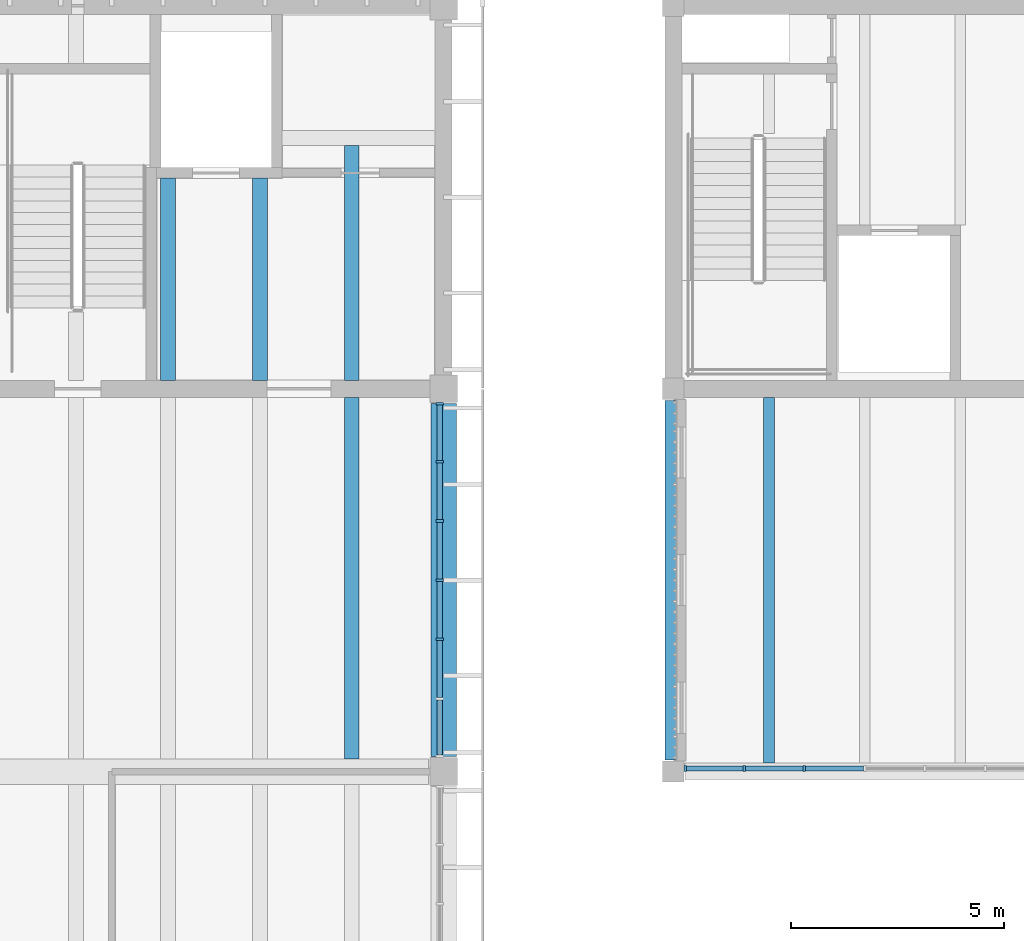
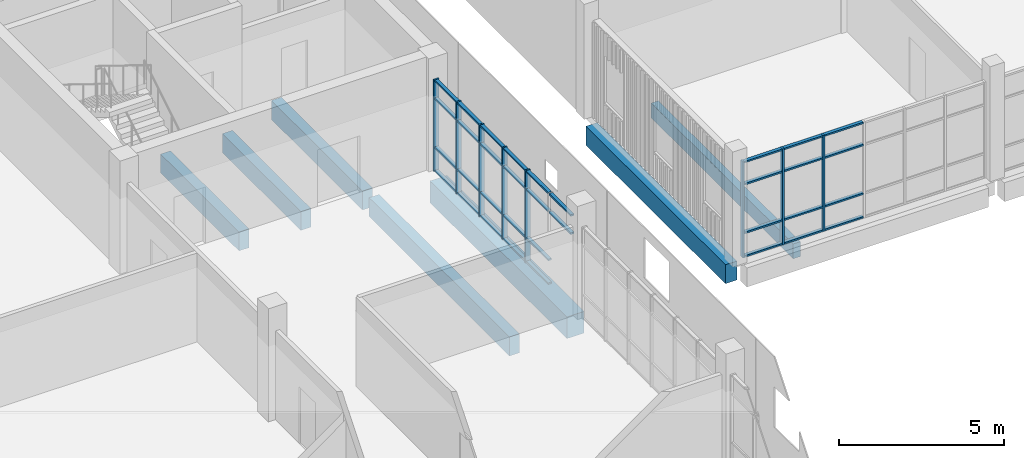
# One storey, part 21 of 92: 42 members, 7 beams, 2 elements without a shape of their own.
"""IFC4 building model written with IfcOpenShell, lengths in metres."""

from ifc_helpers import new_model, si_unit, direction, frame, origin, origin_2d, place, context, subcontext, project, spatial, rectangle, extrude, material, material_profile, profile_set, type_object, element, aggregate, save


model = new_model("IFC4")

# Units and contexts
model_context = context("Model", 3, precision=1e-05, world=origin(), true_north=direction((0.0, 1.0)))
body_context = subcontext(model_context, "Body", "Model", "MODEL_VIEW")
ifc_project = project(units=[si_unit("LENGTHUNIT", "METRE"), si_unit("AREAUNIT", "SQUARE_METRE"), si_unit("VOLUMEUNIT", "CUBIC_METRE"), si_unit("PLANEANGLEUNIT", "RADIAN"), si_unit("MASSUNIT", "GRAM", prefix="KILO")], contexts=[model_context])

# Site, building, storey
site_placement = place(None, origin())
site = spatial("IfcSite", under=ifc_project, at=site_placement, CompositionType="ELEMENT")
building_placement = place(site_placement, origin())
building = spatial("IfcBuilding", under=site, at=building_placement, Name="Merrow Basin Faculty of Sciences", CompositionType="ELEMENT")
storey_placement = place(building_placement, frame((0.0, 0.0, 4.5)))
storey = spatial("IfcBuildingStorey", under=building, at=storey_placement, Name="L01", CompositionType="ELEMENT", Elevation=4.5)

# Curtain wall, members
ifc_material_1 = material(Name="Aluminium alloy 6063", Category="aluminium")
curtain_wall_type_1 = type_object("IfcCurtainWallType", Name="Court curtain wall 140", PredefinedType="NOTDEFINED", material=ifc_material_1)
curtain_wall_1_placement = place(storey_placement, origin())
curtain_wall_1 = element("IfcCurtainWall", 1, at=curtain_wall_1_placement, inside=storey, type_object=curtain_wall_type_1, Name="Court curtain wall L01 1", PredefinedType="NOTDEFINED")
ifc_material_2 = material(Name="Aluminium alloy 6063", Category="aluminium")
ifc_material_profile_1 = material_profile(ifc_material_2, rectangle(XDim=0.139892578125, YDim=0.06005859375, at=origin_2d()))
ifc_profile_set_1 = profile_set([ifc_material_profile_1], Name="Aluminium alloy 6063")
member_type_1 = type_object("IfcMemberType", Name="Aluminium mullion 60x140", PredefinedType="MULLION", material=ifc_profile_set_1)
member_1_placement = place(storey_placement, frame((27.280029296875, 115.070068359375, 0.0), z_axis=(0.0, 0.0, 1.0), x_axis=(0.0, 1.0, 0.0)))
member_1 = element("IfcMember", 2, at=member_1_placement, type_object=member_type_1, Name="CW8 mullion 1", PredefinedType="MULLION", context=body_context, shape_type="SweptSolid", body=[
    extrude(rectangle(XDim=0.139892578125, YDim=0.06005859375, at=origin_2d()), origin(), (0.0, 0.0, 1.0), 3.550048828125),
])
member_2_placement = place(storey_placement, frame((28.666748046875, 115.070068359375, 0.0), z_axis=(0.0, 0.0, 1.0), x_axis=(0.0, 1.0, 0.0)))
member_2 = element("IfcMember", 3, at=member_2_placement, type_object=member_type_1, Name="CW8 mullion 2", PredefinedType="MULLION", context=body_context, shape_type="SweptSolid", body=[
    extrude(rectangle(XDim=0.139892578125, YDim=0.06005859375, at=origin_2d()), origin(), (0.0, 0.0, 1.0), 3.550048828125),
])
member_3_placement = place(storey_placement, frame((30.083251953125, 115.070068359375, 0.0), z_axis=(0.0, 0.0, 1.0), x_axis=(0.0, 1.0, 0.0)))
member_3 = element("IfcMember", 4, at=member_3_placement, type_object=member_type_1, Name="CW8 mullion 3", PredefinedType="MULLION", context=body_context, shape_type="SweptSolid", body=[
    extrude(rectangle(XDim=0.139892578125, YDim=0.06005859375, at=origin_2d()), origin(), (0.0, 0.0, 1.0), 3.550048828125),
])

ifc_material_3 = material(Name="Aluminium alloy 6063", Category="aluminium")
curtain_wall_type_2 = type_object("IfcCurtainWallType", Name="Bar unitised curtain wall 180", PredefinedType="NOTDEFINED", material=ifc_material_3)
curtain_wall_2_placement = place(storey_placement, origin())
curtain_wall_2 = element("IfcCurtainWall", 5, at=curtain_wall_2_placement, inside=storey, type_object=curtain_wall_type_2, Name="East curtain wall L01 6", PredefinedType="NOTDEFINED")
ifc_material_4 = material(Name="Aluminium alloy 6063", Category="aluminium")
ifc_material_profile_2 = material_profile(ifc_material_4, rectangle(XDim=0.179931640625, YDim=0.06005859375, at=origin_2d()))
ifc_profile_set_2 = profile_set([ifc_material_profile_2], Name="Aluminium alloy 6063")
member_type_2 = type_object("IfcMemberType", Name="Aluminium mullion 60x180", PredefinedType="MULLION", material=ifc_profile_set_2)
member_4_placement = place(storey_placement, frame((21.510009765625, 118.1083984375, 0.0), z_axis=(0.0, 0.0, 1.0), x_axis=(-1.0, 0.0, 0.0)))
member_4 = element("IfcMember", 6, at=member_4_placement, type_object=member_type_2, Name="CW1 mullion 3", PredefinedType="MULLION", context=body_context, shape_type="SweptSolid", body=[
    extrude(rectangle(XDim=0.179931640625, YDim=0.06005859375, at=origin_2d()), origin(), (0.0, 0.0, 1.0), 3.39990234375),
])
member_5_placement = place(storey_placement, frame((21.510009765625, 119.5, 0.0), z_axis=(0.0, 0.0, 1.0), x_axis=(-1.0, 0.0, 0.0)))
member_5 = element("IfcMember", 7, at=member_5_placement, type_object=member_type_2, Name="CW1 mullion 4", PredefinedType="MULLION", context=body_context, shape_type="SweptSolid", body=[
    extrude(rectangle(XDim=0.179931640625, YDim=0.06005859375, at=origin_2d()), origin(), (0.0, 0.0, 1.0), 3.39990234375),
])
member_6_placement = place(storey_placement, frame((21.510009765625, 120.8916015625, 0.0), z_axis=(0.0, 0.0, 1.0), x_axis=(-1.0, 0.0, 0.0)))
member_6 = element("IfcMember", 8, at=member_6_placement, type_object=member_type_2, Name="CW1 mullion 5", PredefinedType="MULLION", context=body_context, shape_type="SweptSolid", body=[
    extrude(rectangle(XDim=0.179931640625, YDim=0.06005859375, at=origin_2d()), origin(), (0.0, 0.0, 1.0), 3.39990234375),
])
member_7_placement = place(storey_placement, frame((21.510009765625, 122.283447265625, 0.0), z_axis=(0.0, 0.0, 1.0), x_axis=(-1.0, 0.0, 0.0)))
member_7 = element("IfcMember", 9, at=member_7_placement, type_object=member_type_2, Name="CW1 mullion 6", PredefinedType="MULLION", context=body_context, shape_type="SweptSolid", body=[
    extrude(rectangle(XDim=0.179931640625, YDim=0.06005859375, at=origin_2d()), origin(), (0.0, 0.0, 1.0), 3.39990234375),
])
member_8_placement = place(storey_placement, frame((21.510009765625, 123.64501953125, 0.0), z_axis=(0.0, 0.0, 1.0), x_axis=(-1.0, 0.0, 0.0)))
member_8 = element("IfcMember", 10, at=member_8_placement, type_object=member_type_2, Name="CW1 mullion 7", PredefinedType="MULLION", context=body_context, shape_type="SweptSolid", body=[
    extrude(rectangle(XDim=0.179931640625, YDim=0.06005859375, at=origin_2d()), origin(), (0.0, 0.0, 1.0), 3.39990234375),
])
ifc_material_5 = material(Name="Aluminium alloy 6063", Category="aluminium")
ifc_material_profile_3 = material_profile(ifc_material_5, rectangle(XDim=0.1201171875, YDim=0.06005859375, at=origin_2d()))
ifc_profile_set_3 = profile_set([ifc_material_profile_3], Name="Aluminium alloy 6063")
member_type_3 = type_object("IfcMemberType", Name="Aluminium transom 60x120", PredefinedType="USERDEFINED", material=ifc_profile_set_3)
member_9_placement = place(storey_placement, frame((21.510009765625, 115.385009765625, 2.699951171875), z_axis=(0.0, 1.0, 0.0), x_axis=(-1.0, 0.0, 0.0)))
member_9 = element("IfcMember", 11, at=member_9_placement, type_object=member_type_3, Name="CW1 transom 1.3", ObjectType="TRANSOM", PredefinedType="USERDEFINED", context=body_context, shape_type="SweptSolid", body=[
    extrude(rectangle(XDim=0.1201171875, YDim=0.06005859375, at=origin_2d()), origin(), (0.0, 0.0, 1.0), 1.3017578125),
])
member_10_placement = place(storey_placement, frame((21.510009765625, 115.385009765625, 3.3701171875), z_axis=(0.0, 1.0, 0.0), x_axis=(-1.0, 0.0, 0.0)))
member_10 = element("IfcMember", 12, at=member_10_placement, type_object=member_type_3, Name="CW1 transom 1.4", ObjectType="TRANSOM", PredefinedType="USERDEFINED", context=body_context, shape_type="SweptSolid", body=[
    extrude(rectangle(XDim=0.1201171875, YDim=0.06005859375, at=origin_2d()), origin(), (0.0, 0.0, 1.0), 1.3017578125),
])
member_11_placement = place(storey_placement, frame((21.510009765625, 116.74658203125, 0.030029296875), z_axis=(0.0, 1.0, 0.0), x_axis=(-1.0, 0.0, 0.0)))
member_11 = element("IfcMember", 13, at=member_11_placement, type_object=member_type_3, Name="CW1 transom 2.1", ObjectType="TRANSOM", PredefinedType="USERDEFINED", context=body_context, shape_type="SweptSolid", body=[
    extrude(rectangle(XDim=0.1201171875, YDim=0.06005859375, at=origin_2d()), origin(), (0.0, 0.0, 1.0), 1.331787109375),
])
member_12_placement = place(storey_placement, frame((21.510009765625, 116.74658203125, 0.89990234375), z_axis=(0.0, 1.0, 0.0), x_axis=(-1.0, 0.0, 0.0)))
member_12 = element("IfcMember", 14, at=member_12_placement, type_object=member_type_3, Name="CW1 transom 2.2", ObjectType="TRANSOM", PredefinedType="USERDEFINED", context=body_context, shape_type="SweptSolid", body=[
    extrude(rectangle(XDim=0.1201171875, YDim=0.06005859375, at=origin_2d()), origin(), (0.0, 0.0, 1.0), 1.331787109375),
])
member_13_placement = place(storey_placement, frame((21.510009765625, 116.74658203125, 2.699951171875), z_axis=(0.0, 1.0, 0.0), x_axis=(-1.0, 0.0, 0.0)))
member_13 = element("IfcMember", 15, at=member_13_placement, type_object=member_type_3, Name="CW1 transom 2.3", ObjectType="TRANSOM", PredefinedType="USERDEFINED", context=body_context, shape_type="SweptSolid", body=[
    extrude(rectangle(XDim=0.1201171875, YDim=0.06005859375, at=origin_2d()), origin(), (0.0, 0.0, 1.0), 1.331787109375),
])
member_14_placement = place(storey_placement, frame((21.510009765625, 116.74658203125, 3.3701171875), z_axis=(0.0, 1.0, 0.0), x_axis=(-1.0, 0.0, 0.0)))
member_14 = element("IfcMember", 16, at=member_14_placement, type_object=member_type_3, Name="CW1 transom 2.4", ObjectType="TRANSOM", PredefinedType="USERDEFINED", context=body_context, shape_type="SweptSolid", body=[
    extrude(rectangle(XDim=0.1201171875, YDim=0.06005859375, at=origin_2d()), origin(), (0.0, 0.0, 1.0), 1.331787109375),
])
member_15_placement = place(storey_placement, frame((21.510009765625, 118.138427734375, 0.030029296875), z_axis=(0.0, 1.0, 0.0), x_axis=(-1.0, 0.0, 0.0)))
member_15 = element("IfcMember", 17, at=member_15_placement, type_object=member_type_3, Name="CW1 transom 3.1", ObjectType="TRANSOM", PredefinedType="USERDEFINED", context=body_context, shape_type="SweptSolid", body=[
    extrude(rectangle(XDim=0.1201171875, YDim=0.06005859375, at=origin_2d()), origin(), (0.0, 0.0, 1.0), 1.33154296875),
])
member_16_placement = place(storey_placement, frame((21.510009765625, 118.138427734375, 0.89990234375), z_axis=(0.0, 1.0, 0.0), x_axis=(-1.0, 0.0, 0.0)))
member_16 = element("IfcMember", 18, at=member_16_placement, type_object=member_type_3, Name="CW1 transom 3.2", ObjectType="TRANSOM", PredefinedType="USERDEFINED", context=body_context, shape_type="SweptSolid", body=[
    extrude(rectangle(XDim=0.1201171875, YDim=0.06005859375, at=origin_2d()), origin(), (0.0, 0.0, 1.0), 1.33154296875),
])
member_17_placement = place(storey_placement, frame((21.510009765625, 118.138427734375, 2.699951171875), z_axis=(0.0, 1.0, 0.0), x_axis=(-1.0, 0.0, 0.0)))
member_17 = element("IfcMember", 19, at=member_17_placement, type_object=member_type_3, Name="CW1 transom 3.3", ObjectType="TRANSOM", PredefinedType="USERDEFINED", context=body_context, shape_type="SweptSolid", body=[
    extrude(rectangle(XDim=0.1201171875, YDim=0.06005859375, at=origin_2d()), origin(), (0.0, 0.0, 1.0), 1.33154296875),
])
member_18_placement = place(storey_placement, frame((21.510009765625, 118.138427734375, 3.3701171875), z_axis=(0.0, 1.0, 0.0), x_axis=(-1.0, 0.0, 0.0)))
member_18 = element("IfcMember", 20, at=member_18_placement, type_object=member_type_3, Name="CW1 transom 3.4", ObjectType="TRANSOM", PredefinedType="USERDEFINED", context=body_context, shape_type="SweptSolid", body=[
    extrude(rectangle(XDim=0.1201171875, YDim=0.06005859375, at=origin_2d()), origin(), (0.0, 0.0, 1.0), 1.33154296875),
])
member_19_placement = place(storey_placement, frame((21.510009765625, 119.530029296875, 0.030029296875), z_axis=(0.0, 1.0, 0.0), x_axis=(-1.0, 0.0, 0.0)))
member_19 = element("IfcMember", 21, at=member_19_placement, type_object=member_type_3, Name="CW1 transom 4.1", ObjectType="TRANSOM", PredefinedType="USERDEFINED", context=body_context, shape_type="SweptSolid", body=[
    extrude(rectangle(XDim=0.1201171875, YDim=0.06005859375, at=origin_2d()), origin(), (0.0, 0.0, 1.0), 1.33154296875),
])
member_20_placement = place(storey_placement, frame((21.510009765625, 119.530029296875, 0.89990234375), z_axis=(0.0, 1.0, 0.0), x_axis=(-1.0, 0.0, 0.0)))
member_20 = element("IfcMember", 22, at=member_20_placement, type_object=member_type_3, Name="CW1 transom 4.2", ObjectType="TRANSOM", PredefinedType="USERDEFINED", context=body_context, shape_type="SweptSolid", body=[
    extrude(rectangle(XDim=0.1201171875, YDim=0.06005859375, at=origin_2d()), origin(), (0.0, 0.0, 1.0), 1.33154296875),
])
member_21_placement = place(storey_placement, frame((21.510009765625, 119.530029296875, 2.699951171875), z_axis=(0.0, 1.0, 0.0), x_axis=(-1.0, 0.0, 0.0)))
member_21 = element("IfcMember", 23, at=member_21_placement, type_object=member_type_3, Name="CW1 transom 4.3", ObjectType="TRANSOM", PredefinedType="USERDEFINED", context=body_context, shape_type="SweptSolid", body=[
    extrude(rectangle(XDim=0.1201171875, YDim=0.06005859375, at=origin_2d()), origin(), (0.0, 0.0, 1.0), 1.33154296875),
])
member_22_placement = place(storey_placement, frame((21.510009765625, 119.530029296875, 3.3701171875), z_axis=(0.0, 1.0, 0.0), x_axis=(-1.0, 0.0, 0.0)))
member_22 = element("IfcMember", 24, at=member_22_placement, type_object=member_type_3, Name="CW1 transom 4.4", ObjectType="TRANSOM", PredefinedType="USERDEFINED", context=body_context, shape_type="SweptSolid", body=[
    extrude(rectangle(XDim=0.1201171875, YDim=0.06005859375, at=origin_2d()), origin(), (0.0, 0.0, 1.0), 1.33154296875),
])
member_23_placement = place(storey_placement, frame((21.510009765625, 120.921630859375, 0.030029296875), z_axis=(0.0, 1.0, 0.0), x_axis=(-1.0, 0.0, 0.0)))
member_23 = element("IfcMember", 25, at=member_23_placement, type_object=member_type_3, Name="CW1 transom 5.1", ObjectType="TRANSOM", PredefinedType="USERDEFINED", context=body_context, shape_type="SweptSolid", body=[
    extrude(rectangle(XDim=0.1201171875, YDim=0.06005859375, at=origin_2d()), origin(), (0.0, 0.0, 1.0), 1.331787109375),
])
member_24_placement = place(storey_placement, frame((21.510009765625, 120.921630859375, 0.89990234375), z_axis=(0.0, 1.0, 0.0), x_axis=(-1.0, 0.0, 0.0)))
member_24 = element("IfcMember", 26, at=member_24_placement, type_object=member_type_3, Name="CW1 transom 5.2", ObjectType="TRANSOM", PredefinedType="USERDEFINED", context=body_context, shape_type="SweptSolid", body=[
    extrude(rectangle(XDim=0.1201171875, YDim=0.06005859375, at=origin_2d()), origin(), (0.0, 0.0, 1.0), 1.331787109375),
])
member_25_placement = place(storey_placement, frame((21.510009765625, 120.921630859375, 2.699951171875), z_axis=(0.0, 1.0, 0.0), x_axis=(-1.0, 0.0, 0.0)))
member_25 = element("IfcMember", 27, at=member_25_placement, type_object=member_type_3, Name="CW1 transom 5.3", ObjectType="TRANSOM", PredefinedType="USERDEFINED", context=body_context, shape_type="SweptSolid", body=[
    extrude(rectangle(XDim=0.1201171875, YDim=0.06005859375, at=origin_2d()), origin(), (0.0, 0.0, 1.0), 1.331787109375),
])
member_26_placement = place(storey_placement, frame((21.510009765625, 120.921630859375, 3.3701171875), z_axis=(0.0, 1.0, 0.0), x_axis=(-1.0, 0.0, 0.0)))
member_26 = element("IfcMember", 28, at=member_26_placement, type_object=member_type_3, Name="CW1 transom 5.4", ObjectType="TRANSOM", PredefinedType="USERDEFINED", context=body_context, shape_type="SweptSolid", body=[
    extrude(rectangle(XDim=0.1201171875, YDim=0.06005859375, at=origin_2d()), origin(), (0.0, 0.0, 1.0), 1.331787109375),
])
member_27_placement = place(storey_placement, frame((21.510009765625, 122.313232421875, 0.030029296875), z_axis=(0.0, 1.0, 0.0), x_axis=(-1.0, 0.0, 0.0)))
member_27 = element("IfcMember", 29, at=member_27_placement, type_object=member_type_3, Name="CW1 transom 6.1", ObjectType="TRANSOM", PredefinedType="USERDEFINED", context=body_context, shape_type="SweptSolid", body=[
    extrude(rectangle(XDim=0.1201171875, YDim=0.06005859375, at=origin_2d()), origin(), (0.0, 0.0, 1.0), 1.3017578125),
])
member_28_placement = place(storey_placement, frame((21.510009765625, 122.313232421875, 0.89990234375), z_axis=(0.0, 1.0, 0.0), x_axis=(-1.0, 0.0, 0.0)))
member_28 = element("IfcMember", 30, at=member_28_placement, type_object=member_type_3, Name="CW1 transom 6.2", ObjectType="TRANSOM", PredefinedType="USERDEFINED", context=body_context, shape_type="SweptSolid", body=[
    extrude(rectangle(XDim=0.1201171875, YDim=0.06005859375, at=origin_2d()), origin(), (0.0, 0.0, 1.0), 1.3017578125),
])
member_29_placement = place(storey_placement, frame((21.510009765625, 122.313232421875, 2.699951171875), z_axis=(0.0, 1.0, 0.0), x_axis=(-1.0, 0.0, 0.0)))
member_29 = element("IfcMember", 31, at=member_29_placement, type_object=member_type_3, Name="CW1 transom 6.3", ObjectType="TRANSOM", PredefinedType="USERDEFINED", context=body_context, shape_type="SweptSolid", body=[
    extrude(rectangle(XDim=0.1201171875, YDim=0.06005859375, at=origin_2d()), origin(), (0.0, 0.0, 1.0), 1.3017578125),
])
member_30_placement = place(storey_placement, frame((21.510009765625, 122.313232421875, 3.3701171875), z_axis=(0.0, 1.0, 0.0), x_axis=(-1.0, 0.0, 0.0)))
member_30 = element("IfcMember", 32, at=member_30_placement, type_object=member_type_3, Name="CW1 transom 6.4", ObjectType="TRANSOM", PredefinedType="USERDEFINED", context=body_context, shape_type="SweptSolid", body=[
    extrude(rectangle(XDim=0.1201171875, YDim=0.06005859375, at=origin_2d()), origin(), (0.0, 0.0, 1.0), 1.3017578125),
])
aggregate(curtain_wall_2, [member_4, member_5, member_6, member_7, member_8, member_9, member_10, member_11, member_12, member_13, member_14, member_15, member_16, member_17, member_18, member_19, member_20, member_21, member_22, member_23, member_24, member_25, member_26, member_27, member_28, member_29, member_30])

# Member
member_31_placement = place(storey_placement, frame((27.31005859375, 115.070068359375, 0.030029296875), z_axis=(1.0, 0.0, 0.0), x_axis=(0.0, 1.0, 0.0)))
member_31 = element("IfcMember", 33, at=member_31_placement, type_object=member_type_3, Name="CW8 transom 1.1", ObjectType="TRANSOM", PredefinedType="USERDEFINED", context=body_context, shape_type="SweptSolid", body=[
    extrude(rectangle(XDim=0.1201171875, YDim=0.06005859375, at=origin_2d()), origin(), (0.0, 0.0, 1.0), 1.32666015625),
])

member_32_placement = place(storey_placement, frame((27.31005859375, 115.070068359375, 0.89990234375), z_axis=(1.0, 0.0, 0.0), x_axis=(0.0, 1.0, 0.0)))
member_32 = element("IfcMember", 34, at=member_32_placement, type_object=member_type_3, Name="CW8 transom 1.2", ObjectType="TRANSOM", PredefinedType="USERDEFINED", context=body_context, shape_type="SweptSolid", body=[
    extrude(rectangle(XDim=0.1201171875, YDim=0.06005859375, at=origin_2d()), origin(), (0.0, 0.0, 1.0), 1.32666015625),
])

member_33_placement = place(storey_placement, frame((27.31005859375, 115.070068359375, 2.699951171875), z_axis=(1.0, 0.0, 0.0), x_axis=(0.0, 1.0, 0.0)))
member_33 = element("IfcMember", 35, at=member_33_placement, type_object=member_type_3, Name="CW8 transom 1.3", ObjectType="TRANSOM", PredefinedType="USERDEFINED", context=body_context, shape_type="SweptSolid", body=[
    extrude(rectangle(XDim=0.1201171875, YDim=0.06005859375, at=origin_2d()), origin(), (0.0, 0.0, 1.0), 1.32666015625),
])

member_34_placement = place(storey_placement, frame((27.31005859375, 115.070068359375, 3.52001953125), z_axis=(1.0, 0.0, 0.0), x_axis=(0.0, 1.0, 0.0)))
member_34 = element("IfcMember", 36, at=member_34_placement, type_object=member_type_3, Name="CW8 transom 1.4", ObjectType="TRANSOM", PredefinedType="USERDEFINED", context=body_context, shape_type="SweptSolid", body=[
    extrude(rectangle(XDim=0.1201171875, YDim=0.06005859375, at=origin_2d()), origin(), (0.0, 0.0, 1.0), 1.32666015625),
])

member_35_placement = place(storey_placement, frame((28.69677734375, 115.070068359375, 0.030029296875), z_axis=(1.0, 0.0, 0.0), x_axis=(0.0, 1.0, 0.0)))
member_35 = element("IfcMember", 37, at=member_35_placement, type_object=member_type_3, Name="CW8 transom 2.1", ObjectType="TRANSOM", PredefinedType="USERDEFINED", context=body_context, shape_type="SweptSolid", body=[
    extrude(rectangle(XDim=0.1201171875, YDim=0.06005859375, at=origin_2d()), origin(), (0.0, 0.0, 1.0), 1.3564453125),
])

member_36_placement = place(storey_placement, frame((28.69677734375, 115.070068359375, 0.89990234375), z_axis=(1.0, 0.0, 0.0), x_axis=(0.0, 1.0, 0.0)))
member_36 = element("IfcMember", 38, at=member_36_placement, type_object=member_type_3, Name="CW8 transom 2.2", ObjectType="TRANSOM", PredefinedType="USERDEFINED", context=body_context, shape_type="SweptSolid", body=[
    extrude(rectangle(XDim=0.1201171875, YDim=0.06005859375, at=origin_2d()), origin(), (0.0, 0.0, 1.0), 1.3564453125),
])

member_37_placement = place(storey_placement, frame((28.69677734375, 115.070068359375, 2.699951171875), z_axis=(1.0, 0.0, 0.0), x_axis=(0.0, 1.0, 0.0)))
member_37 = element("IfcMember", 39, at=member_37_placement, type_object=member_type_3, Name="CW8 transom 2.3", ObjectType="TRANSOM", PredefinedType="USERDEFINED", context=body_context, shape_type="SweptSolid", body=[
    extrude(rectangle(XDim=0.1201171875, YDim=0.06005859375, at=origin_2d()), origin(), (0.0, 0.0, 1.0), 1.3564453125),
])

member_38_placement = place(storey_placement, frame((28.69677734375, 115.070068359375, 3.52001953125), z_axis=(1.0, 0.0, 0.0), x_axis=(0.0, 1.0, 0.0)))
member_38 = element("IfcMember", 40, at=member_38_placement, type_object=member_type_3, Name="CW8 transom 2.4", ObjectType="TRANSOM", PredefinedType="USERDEFINED", context=body_context, shape_type="SweptSolid", body=[
    extrude(rectangle(XDim=0.1201171875, YDim=0.06005859375, at=origin_2d()), origin(), (0.0, 0.0, 1.0), 1.3564453125),
])

member_39_placement = place(storey_placement, frame((30.11328125, 115.070068359375, 0.030029296875), z_axis=(1.0, 0.0, 0.0), x_axis=(0.0, 1.0, 0.0)))
member_39 = element("IfcMember", 41, at=member_39_placement, type_object=member_type_3, Name="CW8 transom 3.1", ObjectType="TRANSOM", PredefinedType="USERDEFINED", context=body_context, shape_type="SweptSolid", body=[
    extrude(rectangle(XDim=0.1201171875, YDim=0.06005859375, at=origin_2d()), origin(), (0.0, 0.0, 1.0), 1.356689453125),
])

member_40_placement = place(storey_placement, frame((30.11328125, 115.070068359375, 0.89990234375), z_axis=(1.0, 0.0, 0.0), x_axis=(0.0, 1.0, 0.0)))
member_40 = element("IfcMember", 42, at=member_40_placement, type_object=member_type_3, Name="CW8 transom 3.2", ObjectType="TRANSOM", PredefinedType="USERDEFINED", context=body_context, shape_type="SweptSolid", body=[
    extrude(rectangle(XDim=0.1201171875, YDim=0.06005859375, at=origin_2d()), origin(), (0.0, 0.0, 1.0), 1.356689453125),
])

member_41_placement = place(storey_placement, frame((30.11328125, 115.070068359375, 2.699951171875), z_axis=(1.0, 0.0, 0.0), x_axis=(0.0, 1.0, 0.0)))
member_41 = element("IfcMember", 43, at=member_41_placement, type_object=member_type_3, Name="CW8 transom 3.3", ObjectType="TRANSOM", PredefinedType="USERDEFINED", context=body_context, shape_type="SweptSolid", body=[
    extrude(rectangle(XDim=0.1201171875, YDim=0.06005859375, at=origin_2d()), origin(), (0.0, 0.0, 1.0), 1.356689453125),
])

member_42_placement = place(storey_placement, frame((30.11328125, 115.070068359375, 3.52001953125), z_axis=(1.0, 0.0, 0.0), x_axis=(0.0, 1.0, 0.0)))
member_42 = element("IfcMember", 44, at=member_42_placement, type_object=member_type_3, Name="CW8 transom 3.4", ObjectType="TRANSOM", PredefinedType="USERDEFINED", context=body_context, shape_type="SweptSolid", body=[
    extrude(rectangle(XDim=0.1201171875, YDim=0.06005859375, at=origin_2d()), origin(), (0.0, 0.0, 1.0), 1.356689453125),
])

aggregate(curtain_wall_1, [member_1, member_2, member_3, member_31, member_32, member_33, member_34, member_35, member_36, member_37, member_38, member_39, member_40, member_41, member_42])

# Beams
ifc_material_6 = material(Name="Concrete C40/50", Category="concrete")
ifc_material_profile_4 = material_profile(ifc_material_6, rectangle(XDim=0.39990234375, YDim=0.699951171875, at=origin_2d()))
ifc_profile_set_4 = profile_set([ifc_material_profile_4], Name="Concrete C40/50")
beam_type_1 = type_object("IfcBeamType", Name="Beam RC400x700 C40/50", PredefinedType="BEAM", material=ifc_profile_set_4)
beam_1_placement = place(storey_placement, frame((27.0, 115.27490234375, -0.60009765625), z_axis=(0.0, 1.0, 0.0), x_axis=(-1.0, 0.0, 0.0)))
element("IfcBeam", 45, at=beam_1_placement, inside=storey, type_object=beam_type_1, Name="B3 L01 020", PredefinedType="BEAM", context=body_context, shape_type="SweptSolid", body=[
    extrude(rectangle(XDim=0.39990234375, YDim=0.699951171875, at=origin_2d()), origin(), (0.0, 0.0, 1.0), 8.4501953125),
])
ifc_material_7 = material(Name="Concrete C40/50", Category="concrete")
ifc_material_profile_5 = material_profile(ifc_material_7, rectangle(XDim=0.60009765625, YDim=0.800048828125, at=origin_2d()))
ifc_profile_set_5 = profile_set([ifc_material_profile_5], Name="Concrete C40/50")
beam_type_2 = type_object("IfcBeamType", Name="Beam RC600x800 C40/50", PredefinedType="BEAM", material=ifc_profile_set_5)
beam_2_placement = place(storey_placement, frame((21.60009765625, 115.35009765625, -0.699951171875), z_axis=(0.0, 1.0, 0.0), x_axis=(-1.0, 0.0, 0.0)))
element("IfcBeam", 46, at=beam_2_placement, inside=storey, type_object=beam_type_2, Name="B2 L01 033", PredefinedType="BEAM", context=body_context, shape_type="SweptSolid", body=[
    extrude(rectangle(XDim=0.60009765625, YDim=0.800048828125, at=origin_2d()), origin(), (0.0, 0.0, 1.0), 8.2998046875),
])
ifc_material_8 = material(Name="Concrete C40/50", Category="concrete")
ifc_material_profile_6 = material_profile(ifc_material_8, rectangle(XDim=0.25, YDim=0.550048828125, at=origin_2d()))
ifc_profile_set_6 = profile_set([ifc_material_profile_6], Name="Concrete C40/50")
beam_type_3 = type_object("IfcBeamType", Name="Commons floor joist RC250x550 C40/50", PredefinedType="BEAM", material=ifc_profile_set_6)
beam_3_placement = place(storey_placement, frame((29.25, 115.199951171875, -0.52490234375), z_axis=(0.0, 1.0, 0.0), x_axis=(-1.0, 0.0, 0.0)))
element("IfcBeam", 47, at=beam_3_placement, inside=storey, type_object=beam_type_3, Name="JC1 L01 042", PredefinedType="BEAM", context=body_context, shape_type="SweptSolid", body=[
    extrude(rectangle(XDim=0.25, YDim=0.550048828125, at=origin_2d()), origin(), (0.0, 0.0, 1.0), 8.60009765625),
])
ifc_material_9 = material(Name="Concrete C40/50", Category="concrete")
ifc_material_profile_7 = material_profile(ifc_material_9, rectangle(XDim=0.35009765625, YDim=0.699951171875, at=origin_2d()))
ifc_profile_set_7 = profile_set([ifc_material_profile_7], Name="Concrete C40/50")
beam_type_4 = type_object("IfcBeamType", Name="Laboratory plant-floor joist RC350x700 C40/50", PredefinedType="BEAM", material=ifc_profile_set_7)
beam_4_placement = place(storey_placement, frame((19.43994140625, 115.300048828125, -0.64990234375), z_axis=(0.0, 1.0, 0.0), x_axis=(-1.0, 0.0, 0.0)))
element("IfcBeam", 48, at=beam_4_placement, inside=storey, type_object=beam_type_4, Name="JP1 L01 096", PredefinedType="BEAM", context=body_context, shape_type="SweptSolid", body=[
    extrude(rectangle(XDim=0.35009765625, YDim=0.699951171875, at=origin_2d()), origin(), (0.0, 0.0, 1.0), 8.5),
])
for number, where, z_axis, x_axis, name in (
    (49, (15.1201171875, 124.199951171875, -0.64990234375), (0.0, 1.0, 0.0), (-1.0, 0.0, 0.0), "JP1 L01 099"),
    (50, (17.280029296875, 124.199951171875, -0.64990234375), (0.0, 1.0, 0.0), (-1.0, 0.0, 0.0), "JP1 L01 100"),
):
    element("IfcBeam", number, at=place(storey_placement, frame(where, z_axis=z_axis, x_axis=x_axis)), inside=storey, type_object=beam_type_4, Name=name, PredefinedType="BEAM", context=body_context, shape_type="SweptSolid", body=[
        extrude(rectangle(XDim=0.35009765625, YDim=0.699951171875, at=origin_2d()), origin(), (0.0, 0.0, 1.0), 4.75),
    ])
beam_5_placement = place(storey_placement, frame((19.43994140625, 124.199951171875, -0.64990234375), z_axis=(0.0, 1.0, 0.0), x_axis=(-1.0, 0.0, 0.0)))
element("IfcBeam", 51, at=beam_5_placement, inside=storey, type_object=beam_type_4, Name="JP1 L01 101", PredefinedType="BEAM", context=body_context, shape_type="SweptSolid", body=[
    extrude(rectangle(XDim=0.35009765625, YDim=0.699951171875, at=origin_2d()), origin(), (0.0, 0.0, 1.0), 5.525146484375),
])

save(model, "model.ifc")
